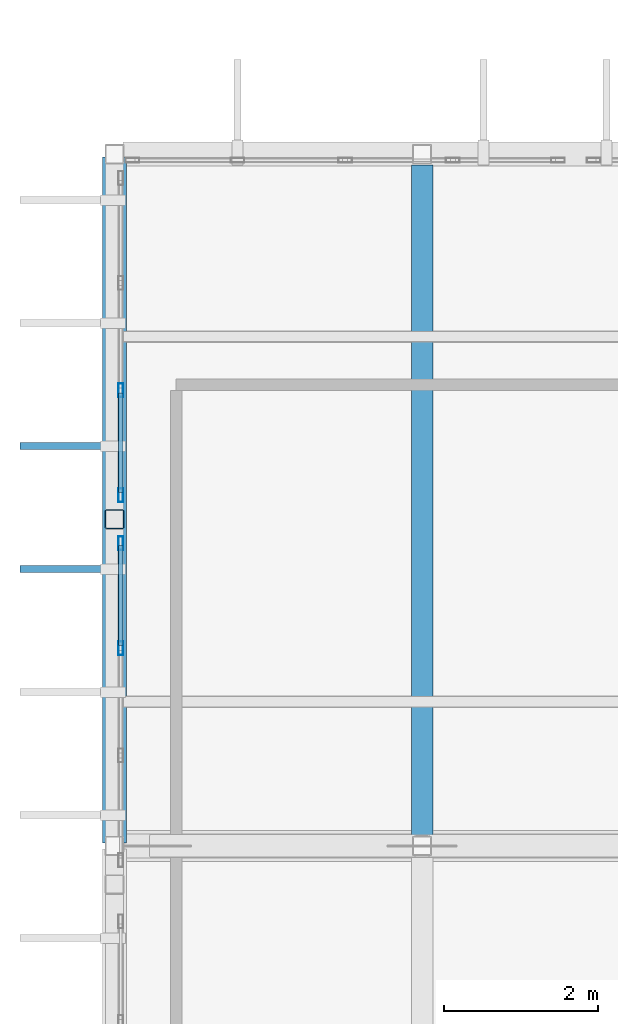
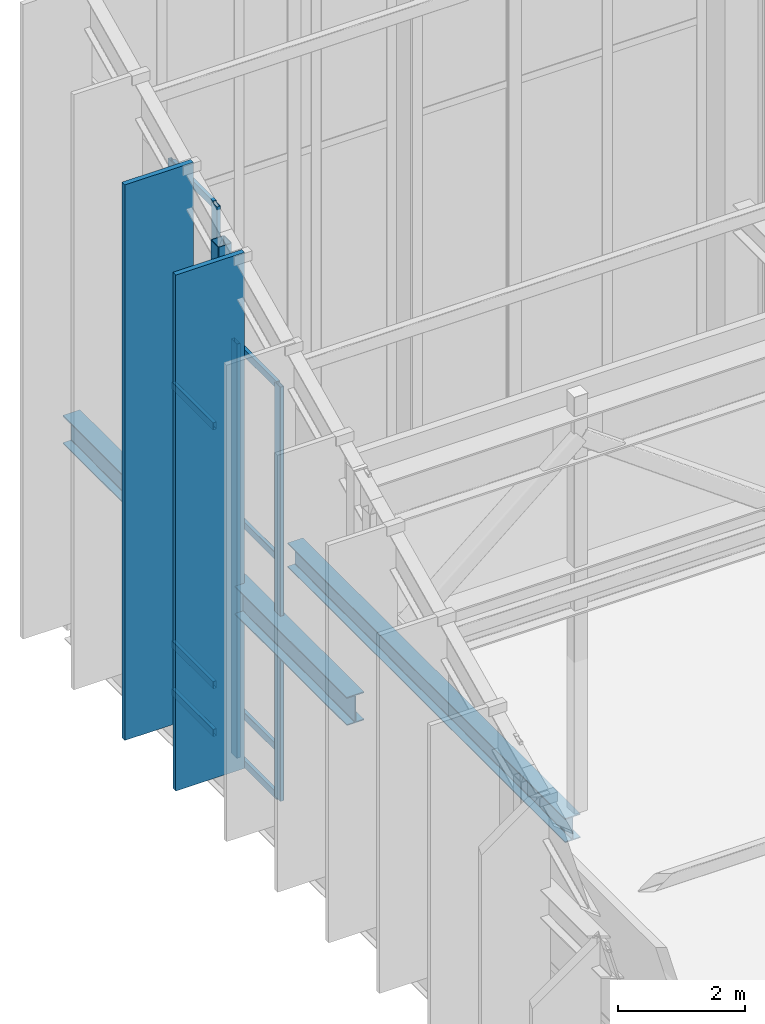
# One storey, part 28 of 68: 15 members, 2 beams, 2 elements without a shape of their own.
"""IFC4 building model written with IfcOpenShell, lengths in metres."""

from ifc_helpers import new_model, si_unit, direction, frame, origin, origin_2d, place, context, subcontext, project, spatial, rectangle, hollow_rectangle, i_section, extrude, material, material_profile, profile_set, type_object, element, aggregate, save


model = new_model("IFC4")

# Units and contexts
model_context = context("Model", 3, precision=1e-05, world=origin(), true_north=direction((0.0, 1.0)))
body_context = subcontext(model_context, "Body", "Model", "MODEL_VIEW")
ifc_project = project(units=[si_unit("LENGTHUNIT", "METRE"), si_unit("AREAUNIT", "SQUARE_METRE"), si_unit("VOLUMEUNIT", "CUBIC_METRE"), si_unit("PLANEANGLEUNIT", "RADIAN"), si_unit("MASSUNIT", "GRAM", prefix="KILO")], contexts=[model_context])

# Site, building, storey
site_placement = place(None, origin())
site = spatial("IfcSite", under=ifc_project, at=site_placement, CompositionType="ELEMENT")
building_placement = place(site_placement, origin())
building = spatial("IfcBuilding", under=site, at=building_placement, Name="Miravela Opera House", CompositionType="ELEMENT")
storey_placement = place(building_placement, frame((0.0, 0.0, 21.760009765625)))
storey = spatial("IfcBuildingStorey", under=building, at=storey_placement, Name="L05", CompositionType="ELEMENT", Elevation=21.760009765625)

# Curtain wall, members
ifc_material_1 = material(Name="Anodised architectural bronze aluminium 6063-T6", Category="aluminium")
curtain_wall_type = type_object("IfcCurtainWallType", Name="ARC-CW-03", PredefinedType="NOTDEFINED", material=ifc_material_1)
curtain_wall_1_placement = place(storey_placement, origin())
curtain_wall_1 = element("IfcCurtainWall", 1, at=curtain_wall_1_placement, inside=storey, type_object=curtain_wall_type, Name="Cantilever West Wrapper Glazing B7 CW-L05-053", PredefinedType="NOTDEFINED")
ifc_material_profile_1 = material_profile(ifc_material_1, hollow_rectangle(XDim=0.06494140625, YDim=0.179931640625, WallThickness=0.00390625, InnerFilletRadius=0.001953125, OuterFilletRadius=0.00390625, at=origin_2d()), Name="CWM-65X180")
ifc_profile_set_1 = profile_set([ifc_material_profile_1])
member_type_1 = type_object("IfcMemberType", Name="ARC-CWM-180", PredefinedType="MULLION", material=ifc_profile_set_1)
member_1_placement = place(storey_placement, frame((15.080078125, 68.5732421875, 0.0), z_axis=(0.0, 0.0, 1.0), x_axis=(-1.0, 0.0, 0.0)))
member_1 = element("IfcMember", 2, at=member_1_placement, type_object=member_type_1, Name="CW-03 mullion 3", PredefinedType="MULLION", context=body_context, shape_type="SweptSolid", body=[
    extrude(hollow_rectangle(XDim=0.06494140625, YDim=0.179931640625, WallThickness=0.00390625, InnerFilletRadius=0.001953125, OuterFilletRadius=0.00390625, at=origin_2d()), origin(), (0.0, 0.0, 1.0), 7.942626953125),
])
member_2_placement = place(storey_placement, frame((15.080078125, 69.9375, 0.0), z_axis=(0.0, 0.0, 1.0), x_axis=(-1.0, 0.0, 0.0)))
member_2 = element("IfcMember", 3, at=member_2_placement, type_object=member_type_1, Name="CW-03 mullion 4", PredefinedType="MULLION", context=body_context, shape_type="SweptSolid", body=[
    extrude(hollow_rectangle(XDim=0.06494140625, YDim=0.179931640625, WallThickness=0.00390625, InnerFilletRadius=0.001953125, OuterFilletRadius=0.00390625, at=origin_2d()), origin(), (0.0, 0.0, 1.0), 7.942626953125),
])

curtain_wall_2_placement = place(storey_placement, origin())
curtain_wall_2 = element("IfcCurtainWall", 4, at=curtain_wall_2_placement, inside=storey, type_object=curtain_wall_type, Name="Cantilever West Wrapper Glazing B8 CW-L05-054", PredefinedType="NOTDEFINED")
member_3_placement = place(storey_placement, frame((15.080078125, 70.5625, 0.0), z_axis=(0.0, 0.0, 1.0), x_axis=(-1.0, 0.0, 0.0)))
member_3 = element("IfcMember", 5, at=member_3_placement, type_object=member_type_1, Name="CW-03 mullion 1", PredefinedType="MULLION", context=body_context, shape_type="SweptSolid", body=[
    extrude(hollow_rectangle(XDim=0.06494140625, YDim=0.179931640625, WallThickness=0.00390625, InnerFilletRadius=0.001953125, OuterFilletRadius=0.00390625, at=origin_2d()), origin(), (0.0, 0.0, 1.0), 10.192626953125),
])
member_4_placement = place(storey_placement, frame((15.080078125, 71.9267578125, 0.0), z_axis=(0.0, 0.0, 1.0), x_axis=(-1.0, 0.0, 0.0)))
member_4 = element("IfcMember", 6, at=member_4_placement, type_object=member_type_1, Name="CW-03 mullion 2", PredefinedType="MULLION", context=body_context, shape_type="SweptSolid", body=[
    extrude(hollow_rectangle(XDim=0.06494140625, YDim=0.179931640625, WallThickness=0.00390625, InnerFilletRadius=0.001953125, OuterFilletRadius=0.00390625, at=origin_2d()), origin(), (0.0, 0.0, 1.0), 10.192626953125),
])

# Member
ifc_material_profile_2 = material_profile(ifc_material_1, hollow_rectangle(XDim=0.06494140625, YDim=0.139892578125, WallThickness=0.00390625, InnerFilletRadius=0.001953125, OuterFilletRadius=0.00390625, at=origin_2d()), Name="CWT-65X140")
ifc_profile_set_2 = profile_set([ifc_material_profile_2])
member_type_2 = type_object("IfcMemberType", Name="ARC-CWT-140", PredefinedType="USERDEFINED", material=ifc_profile_set_2)
member_5_placement = place(storey_placement, frame((15.080078125, 68.605712890625, 0.032470703125), z_axis=(0.0, 1.0, 0.0), x_axis=(-1.0, 0.0, 0.0)))
member_5 = element("IfcMember", 7, at=member_5_placement, type_object=member_type_2, Name="CW-03 transom 3.1", ObjectType="TRANSOM", PredefinedType="USERDEFINED", context=body_context, shape_type="SweptSolid", body=[
    extrude(hollow_rectangle(XDim=0.06494140625, YDim=0.139892578125, WallThickness=0.00390625, InnerFilletRadius=0.001953125, OuterFilletRadius=0.00390625, at=origin_2d()), origin(), (0.0, 0.0, 1.0), 1.29931640625),
])

member_6_placement = place(storey_placement, frame((15.080078125, 68.605712890625, 0.949951171875), z_axis=(0.0, 1.0, 0.0), x_axis=(-1.0, 0.0, 0.0)))
member_6 = element("IfcMember", 8, at=member_6_placement, type_object=member_type_2, Name="CW-03 transom 3.2", ObjectType="TRANSOM", PredefinedType="USERDEFINED", context=body_context, shape_type="SweptSolid", body=[
    extrude(hollow_rectangle(XDim=0.06494140625, YDim=0.139892578125, WallThickness=0.00390625, InnerFilletRadius=0.001953125, OuterFilletRadius=0.00390625, at=origin_2d()), origin(), (0.0, 0.0, 1.0), 1.29931640625),
])

member_7_placement = place(storey_placement, frame((15.080078125, 68.605712890625, 4.606689453125), z_axis=(0.0, 1.0, 0.0), x_axis=(-1.0, 0.0, 0.0)))
member_7 = element("IfcMember", 9, at=member_7_placement, type_object=member_type_2, Name="CW-03 transom 3.3", ObjectType="TRANSOM", PredefinedType="USERDEFINED", context=body_context, shape_type="SweptSolid", body=[
    extrude(hollow_rectangle(XDim=0.06494140625, YDim=0.139892578125, WallThickness=0.00390625, InnerFilletRadius=0.001953125, OuterFilletRadius=0.00390625, at=origin_2d()), origin(), (0.0, 0.0, 1.0), 1.29931640625),
])

member_8_placement = place(storey_placement, frame((15.080078125, 68.605712890625, 7.91015625), z_axis=(0.0, 1.0, 0.0), x_axis=(-1.0, 0.0, 0.0)))
member_8 = element("IfcMember", 10, at=member_8_placement, type_object=member_type_2, Name="CW-03 transom 3.4", ObjectType="TRANSOM", PredefinedType="USERDEFINED", context=body_context, shape_type="SweptSolid", body=[
    extrude(hollow_rectangle(XDim=0.06494140625, YDim=0.139892578125, WallThickness=0.00390625, InnerFilletRadius=0.001953125, OuterFilletRadius=0.00390625, at=origin_2d()), origin(), (0.0, 0.0, 1.0), 1.29931640625),
])

aggregate(curtain_wall_1, [member_1, member_2, member_5, member_6, member_7, member_8])

member_9_placement = place(storey_placement, frame((15.080078125, 70.594970703125, 0.032470703125), z_axis=(0.0, 1.0, 0.0), x_axis=(-1.0, 0.0, 0.0)))
member_9 = element("IfcMember", 11, at=member_9_placement, type_object=member_type_2, Name="CW-03 transom 1.1", ObjectType="TRANSOM", PredefinedType="USERDEFINED", context=body_context, shape_type="SweptSolid", body=[
    extrude(hollow_rectangle(XDim=0.06494140625, YDim=0.139892578125, WallThickness=0.00390625, InnerFilletRadius=0.001953125, OuterFilletRadius=0.00390625, at=origin_2d()), origin(), (0.0, 0.0, 1.0), 1.29931640625),
])

member_10_placement = place(storey_placement, frame((15.080078125, 70.594970703125, 0.949951171875), z_axis=(0.0, 1.0, 0.0), x_axis=(-1.0, 0.0, 0.0)))
member_10 = element("IfcMember", 12, at=member_10_placement, type_object=member_type_2, Name="CW-03 transom 1.2", ObjectType="TRANSOM", PredefinedType="USERDEFINED", context=body_context, shape_type="SweptSolid", body=[
    extrude(hollow_rectangle(XDim=0.06494140625, YDim=0.139892578125, WallThickness=0.00390625, InnerFilletRadius=0.001953125, OuterFilletRadius=0.00390625, at=origin_2d()), origin(), (0.0, 0.0, 1.0), 1.29931640625),
])

member_11_placement = place(storey_placement, frame((15.080078125, 70.594970703125, 5.91162109375), z_axis=(0.0, 1.0, 0.0), x_axis=(-1.0, 0.0, 0.0)))
member_11 = element("IfcMember", 13, at=member_11_placement, type_object=member_type_2, Name="CW-03 transom 1.3", ObjectType="TRANSOM", PredefinedType="USERDEFINED", context=body_context, shape_type="SweptSolid", body=[
    extrude(hollow_rectangle(XDim=0.06494140625, YDim=0.139892578125, WallThickness=0.00390625, InnerFilletRadius=0.001953125, OuterFilletRadius=0.00390625, at=origin_2d()), origin(), (0.0, 0.0, 1.0), 1.29931640625),
])

member_12_placement = place(storey_placement, frame((15.080078125, 70.594970703125, 10.16015625), z_axis=(0.0, 1.0, 0.0), x_axis=(-1.0, 0.0, 0.0)))
member_12 = element("IfcMember", 14, at=member_12_placement, type_object=member_type_2, Name="CW-03 transom 1.4", ObjectType="TRANSOM", PredefinedType="USERDEFINED", context=body_context, shape_type="SweptSolid", body=[
    extrude(hollow_rectangle(XDim=0.06494140625, YDim=0.139892578125, WallThickness=0.00390625, InnerFilletRadius=0.001953125, OuterFilletRadius=0.00390625, at=origin_2d()), origin(), (0.0, 0.0, 1.0), 1.29931640625),
])

aggregate(curtain_wall_2, [member_3, member_4, member_9, member_10, member_11, member_12])

# Members
ifc_material_profile_3 = material_profile(ifc_material_1, rectangle(XDim=0.090087890625, YDim=1.25, at=origin_2d()), Name="FIN-1250X90")
ifc_profile_set_3 = profile_set([ifc_material_profile_3])
member_type_3 = type_object("IfcMemberType", Name="ARC-FIN-1250", PredefinedType="USERDEFINED", material=ifc_profile_set_3)
member_13_placement = place(storey_placement, frame((14.39501953125, 69.60009765625, 0.0), z_axis=(0.0, 0.0, 1.0), x_axis=(0.0, 1.0, 0.0)))
element("IfcMember", 15, at=member_13_placement, inside=storey, type_object=member_type_3, Name="Auditorium Wrapper Bronze Solar Fin FIN-L05-WEST-0161", ObjectType="FIN", PredefinedType="USERDEFINED", context=body_context, shape_type="SweptSolid", body=[
    extrude(rectangle(XDim=0.090087890625, YDim=1.25, at=origin_2d()), origin(), (0.0, 0.0, 1.0), 9.89208984375),
])
member_14_placement = place(storey_placement, frame((14.39501953125, 71.199951171875, 0.0), z_axis=(0.0, 0.0, 1.0), x_axis=(0.0, 1.0, 0.0)))
element("IfcMember", 16, at=member_14_placement, inside=storey, type_object=member_type_3, Name="Auditorium Wrapper Bronze Solar Fin FIN-L05-WEST-0162", ObjectType="FIN", PredefinedType="USERDEFINED", context=body_context, shape_type="SweptSolid", body=[
    extrude(rectangle(XDim=0.090087890625, YDim=1.25, at=origin_2d()), origin(), (0.0, 0.0, 1.0), 10.64990234375),
])

# Beams
ifc_material_2 = material(Name="Structural steel ASTM A992 Gr. 50", Category="steel")
ifc_material_profile_4 = material_profile(ifc_material_2, i_section(OverallWidth=0.280029296875, OverallDepth=0.462890625, WebThickness=0.0107421875, FlangeThickness=0.017333984375, FilletRadius=0.014892578125, at=origin_2d()), Name="W460X113")
ifc_profile_set_4 = profile_set([ifc_material_profile_4])
beam_type_1 = type_object("IfcBeamType", Name="STR-BM-W460X113", PredefinedType="BEAM", material=ifc_profile_set_4)
beam_1_placement = place(storey_placement, frame((19.0, 66.14111328125, -0.471435546875), z_axis=(0.0, 1.0, 0.0), x_axis=(-1.0, 0.0, 0.0)))
element("IfcBeam", 17, at=beam_1_placement, inside=storey, type_object=beam_type_1, Name="Cantilever Overhang Beam L05 X=19", PredefinedType="BEAM", context=body_context, shape_type="SweptSolid", body=[
    extrude(i_section(OverallWidth=0.280029296875, OverallDepth=0.462890625, WebThickness=0.0107421875, FlangeThickness=0.017333984375, FilletRadius=0.014892578125, at=origin_2d()), origin(), (0.0, 0.0, 1.0), 8.7177734375),
])
ifc_material_profile_5 = material_profile(ifc_material_2, i_section(OverallWidth=0.31201171875, OverallDepth=0.54296875, WebThickness=0.0126953125, FlangeThickness=0.020263671875, FilletRadius=0.01611328125, at=origin_2d()), Name="W530X150")
ifc_profile_set_5 = profile_set([ifc_material_profile_5])
beam_type_2 = type_object("IfcBeamType", Name="STR-BM-W530X150", PredefinedType="BEAM", material=ifc_profile_set_5)
beam_2_placement = place(storey_placement, frame((15.0, 66.0400390625, 3.280029296875), z_axis=(0.0, 1.0, 0.0), x_axis=(-1.0, 0.0, 0.0)))
element("IfcBeam", 18, at=beam_2_placement, inside=storey, type_object=beam_type_2, Name="V-Crest Roof Truss Bottom Tie Chord X=15 Seg 4", PredefinedType="BEAM", context=body_context, shape_type="SweptSolid", body=[
    extrude(i_section(OverallWidth=0.31201171875, OverallDepth=0.54296875, WebThickness=0.0126953125, FlangeThickness=0.020263671875, FilletRadius=0.01611328125, at=origin_2d()), origin(), (0.0, 0.0, 1.0), 8.919921875),
])

# Member
ifc_material_3 = material(Name="Hollow structural steel ASTM A500 Gr. C", Category="steel")
ifc_material_profile_6 = material_profile(ifc_material_3, hollow_rectangle(XDim=0.25, YDim=0.25, WallThickness=0.011962890625, InnerFilletRadius=0.011962890625, OuterFilletRadius=0.02392578125, at=origin_2d()), Name="HSS250X250X12")
ifc_profile_set_6 = profile_set([ifc_material_profile_6])
member_type_4 = type_object("IfcMemberType", Name="STR-MEM-CANT-POST2", PredefinedType="POST", material=ifc_profile_set_6)
member_15_placement = place(storey_placement, frame((15.0, 70.25, 3.280029296875), z_axis=(0.0, 0.0, 1.0), x_axis=(1.0, 0.0, 0.0)))
element("IfcMember", 19, at=member_15_placement, inside=storey, type_object=member_type_4, Name="V-Crest Roof Truss Panel Post X=15 Node 7", PredefinedType="POST", context=body_context, shape_type="SweptSolid", body=[
    extrude(hollow_rectangle(XDim=0.25, YDim=0.25, WallThickness=0.011962890625, InnerFilletRadius=0.011962890625, OuterFilletRadius=0.02392578125, at=origin_2d()), origin(), (0.0, 0.0, 1.0), 6.409912109375),
])

save(model, "model.ifc")
